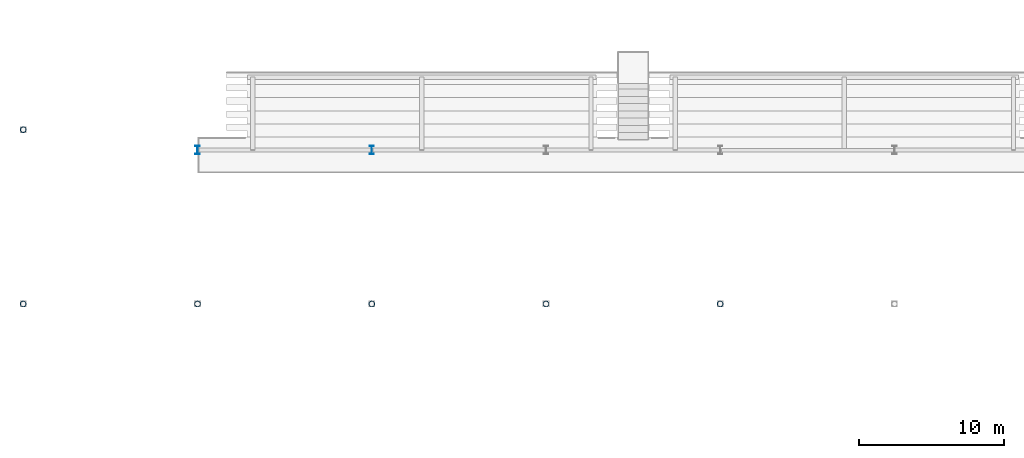
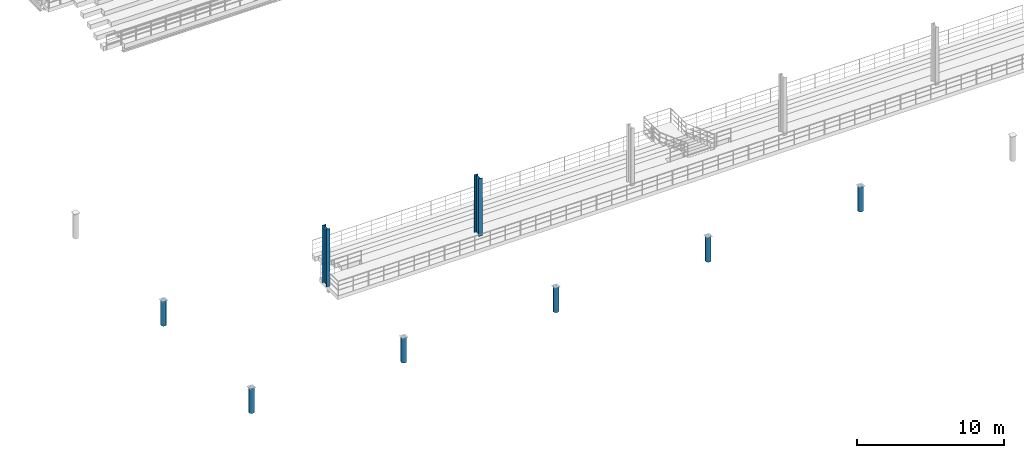
# One storey, part 1 of 52: 8 columns.
"""IFC4 building model written with IfcOpenShell, lengths in metres."""

from ifc_helpers import new_model, si_unit, direction, frame, origin, origin_2d, place, context, subcontext, project, spatial, hollow_circle, i_section, extrude, material, material_profile, profile_set, type_object, element, save


model = new_model("IFC4")

# Units and contexts
model_context = context("Model", 3, precision=1e-05, world=origin(), true_north=direction((0.0, 1.0)))
body_context = subcontext(model_context, "Body", "Model", "MODEL_VIEW")
ifc_project = project(units=[si_unit("LENGTHUNIT", "METRE"), si_unit("AREAUNIT", "SQUARE_METRE"), si_unit("VOLUMEUNIT", "CUBIC_METRE"), si_unit("PLANEANGLEUNIT", "RADIAN"), si_unit("MASSUNIT", "GRAM", prefix="KILO"), si_unit("THERMODYNAMICTEMPERATUREUNIT", "KELVIN"), si_unit("POWERUNIT", "WATT")], contexts=[model_context])

# Site, building, storey
site_placement = place(None, origin())
site = spatial("IfcSite", under=ifc_project, at=site_placement, CompositionType="ELEMENT")
building_placement = place(site_placement, origin())
building = spatial("IfcBuilding", under=site, at=building_placement, Name="Solmara Park Aquatics Centre", CompositionType="ELEMENT")
storey_placement = place(building_placement, frame((0.0, 0.0, 9.60009765625)))
storey = spatial("IfcBuildingStorey", under=building, at=storey_placement, Name="L02", CompositionType="ELEMENT", Elevation=9.60009765625)

# Columns
ifc_material = material(Name="Structural Steel S355", Category="steel")
ifc_material_profile_1 = material_profile(ifc_material, hollow_circle(Radius=0.203125, WallThickness=0.01611328125, at=origin_2d()), Name="CHS 406.4x16")
ifc_profile_set_1 = profile_set([ifc_material_profile_1], Name="Structural Steel S355")
column_type_1 = type_object("IfcColumnType", Name="STR-COL-CHS406", PredefinedType="COLUMN", material=ifc_profile_set_1)
for number, where, z_axis, x_axis, name in (
    (1, (12.60009765625, 12.60009765625, 0.0), (0.0, 0.0, 1.0), (1.0, 0.0, 0.0), "Column L02-0461"),
    (2, (12.60009765625, 24.60009765625, 0.0), (0.0, 0.0, 1.0), (1.0, 0.0, 0.0), "Column L02-0462"),
    (3, (24.60009765625, 12.60009765625, 0.0), (0.0, 0.0, 1.0), (1.0, 0.0, 0.0), "Column L02-0467"),
    (4, (36.60009765625, 12.60009765625, 0.0), (0.0, 0.0, 1.0), (1.0, 0.0, 0.0), "Column L02-0475"),
    (5, (48.60009765625, 12.60009765625, 0.0), (0.0, 0.0, 1.0), (1.0, 0.0, 0.0), "Column L02-0483"),
    (6, (60.60009765625, 12.60009765625, 0.0), (0.0, 0.0, 1.0), (1.0, 0.0, 0.0), "Column L02-0491"),
):
    element("IfcColumn", number, at=place(storey_placement, frame(where, z_axis=z_axis, x_axis=x_axis)), inside=storey, type_object=column_type_1, Name=name, PredefinedType="COLUMN", context=body_context, shape_type="SweptSolid", body=[
        extrude(hollow_circle(Radius=0.203125, WallThickness=0.01611328125, at=origin_2d()), origin(), (0.0, 0.0, 1.0), 2.059814453125),
    ])
ifc_material_profile_2 = material_profile(ifc_material, i_section(OverallWidth=0.300048828125, OverallDepth=0.60009765625, WebThickness=0.015380859375, FlangeThickness=0.030029296875, FilletRadius=0.027099609375, at=origin_2d()), Name="HEB 600")
ifc_profile_set_2 = profile_set([ifc_material_profile_2], Name="Structural Steel S355")
column_type_2 = type_object("IfcColumnType", Name="STR-COL-HEB600", PredefinedType="COLUMN", material=ifc_profile_set_2)
for number, where, z_axis, x_axis, name in (
    (7, (24.60009765625, 23.199951171875, 0.0), (0.0, 0.0, 1.0), (1.0, 0.0, 0.0), "Column L02-0468"),
    (8, (36.60009765625, 23.199951171875, 0.0), (0.0, 0.0, 1.0), (1.0, 0.0, 0.0), "Column L02-0476"),
):
    element("IfcColumn", number, at=place(storey_placement, frame(where, z_axis=z_axis, x_axis=x_axis)), inside=storey, type_object=column_type_2, Name=name, PredefinedType="COLUMN", context=body_context, shape_type="SweptSolid", body=[
        extrude(i_section(OverallWidth=0.300048828125, OverallDepth=0.60009765625, WebThickness=0.015380859375, FlangeThickness=0.030029296875, FilletRadius=0.027099609375, at=origin_2d()), origin(), (0.0, 0.0, 1.0), 4.7998046875),
    ])

save(model, "model.ifc")
